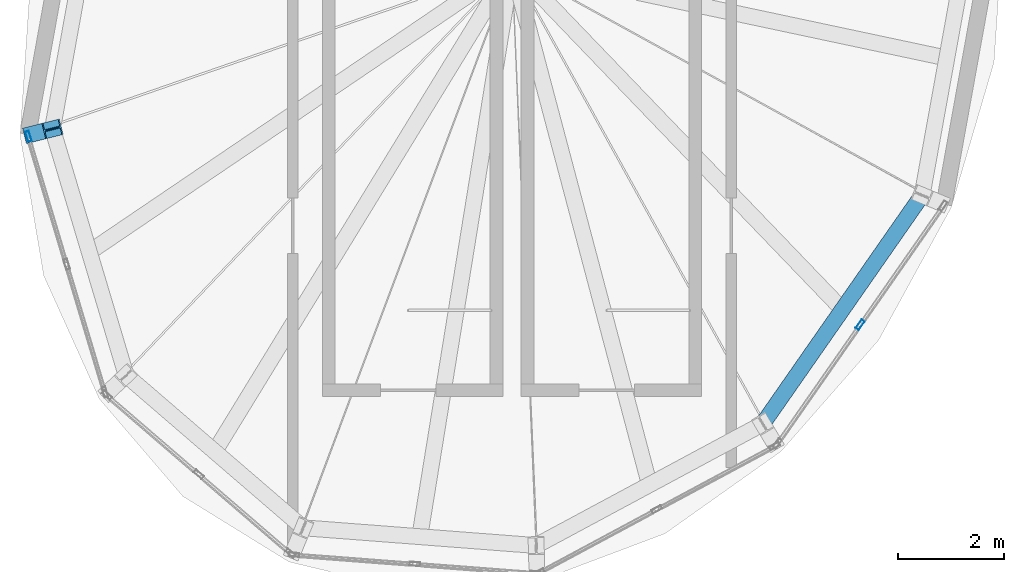
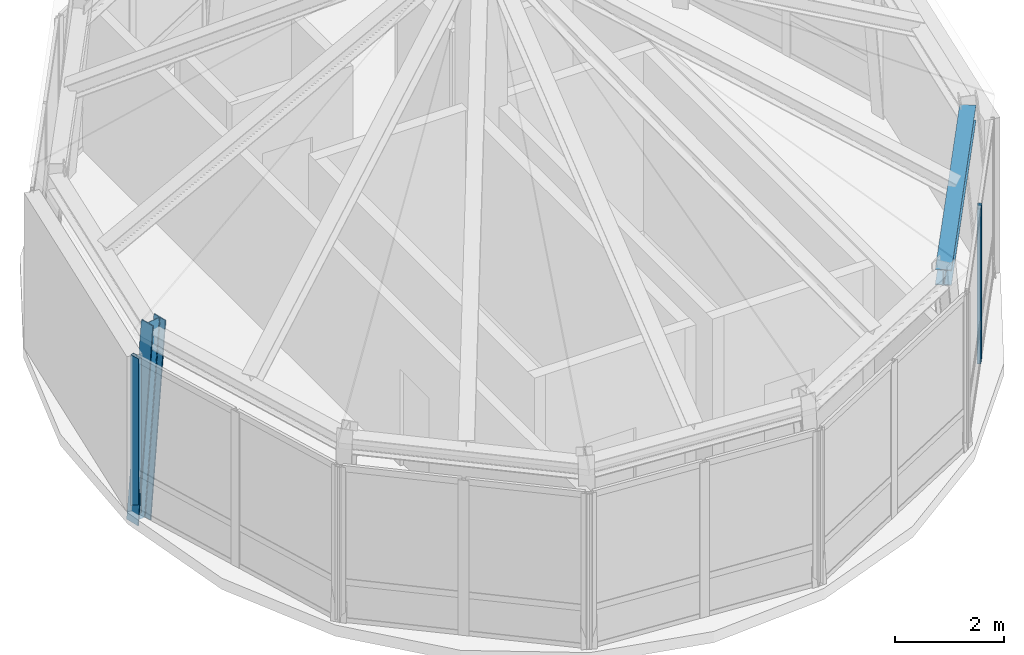
# One storey, part 2 of 8: 3 members, 1 beam, 2 elements without a shape of their own.
"""IFC4 building model written with IfcOpenShell, lengths in metres."""

from ifc_helpers import new_model, si_unit, direction, frame, origin, origin_2d, place, context, subcontext, project, spatial, hollow_rectangle, i_section, extrude, material, layer, layer_set, material_profile, profile_set, type_object, element, aggregate, save


model = new_model("IFC4")

# Units and contexts
model_context = context("Model", 3, precision=1e-05, world=origin(), true_north=direction((0.0, 1.0)))
body_context = subcontext(model_context, "Body", "Model", "MODEL_VIEW")
ifc_project = project(units=[si_unit("LENGTHUNIT", "METRE"), si_unit("AREAUNIT", "SQUARE_METRE"), si_unit("VOLUMEUNIT", "CUBIC_METRE"), si_unit("PLANEANGLEUNIT", "RADIAN"), si_unit("MASSUNIT", "GRAM", prefix="KILO"), si_unit("THERMODYNAMICTEMPERATUREUNIT", "KELVIN"), si_unit("POWERUNIT", "WATT")], contexts=[model_context])

# Site, building, storey
site_placement = place(None, origin())
site = spatial("IfcSite", under=ifc_project, at=site_placement, CompositionType="ELEMENT")
building_placement = place(site_placement, origin())
building = spatial("IfcBuilding", under=site, at=building_placement, Name="Ocrelia Relay Tower", CompositionType="ELEMENT")
storey_placement = place(building_placement, frame((0.0, 0.0, 308.0)))
storey = spatial("IfcBuildingStorey", under=building, at=storey_placement, Name="L77", CompositionType="ELEMENT", Elevation=308.0)

# Beam
ifc_material_1 = material(Name="Steel S355", Category="steel")
ifc_material_profile_1 = material_profile(ifc_material_1, i_section(OverallWidth=0.300048828125, OverallDepth=0.35009765625, WebThickness=0.010009765625, FlangeThickness=0.017578125, FilletRadius=0.027099609375, at=origin_2d()), Name="HEA 360")
ifc_profile_set_1 = profile_set([ifc_material_profile_1], Name="Steel S355")
beam_type = type_object("IfcBeamType", Name="BM-HEA360", PredefinedType="SPANDREL", material=ifc_profile_set_1)
beam_placement = place(storey_placement, frame((38.743408203125, 18.4541015625, 3.64501953125), z_axis=(0.57182005385, 0.820379074584, 0.0), x_axis=(-0.820379074584, 0.57182005385, 0.0)))
element("IfcBeam", 1, at=beam_placement, inside=storey, type_object=beam_type, Name="L77 Crown Faceted Ring Beam R09", PredefinedType="SPANDREL", context=body_context, shape_type="SweptSolid", body=[
    extrude(i_section(OverallWidth=0.300048828125, OverallDepth=0.35009765625, WebThickness=0.010009765625, FlangeThickness=0.017578125, FilletRadius=0.027099609375, at=origin_2d()), origin(), (0.0, 0.0, 1.0), 5.271484375),
])

# Curtain wall, member
ifc_material_2 = material(Name="Aluminium and solar-control low-E glass", Category="aluminium")
ifc_layer = layer(ifc_material_2, 0.179931640625, Name="Aluminium and solar-control low-E glass")
ifc_layer_set = layer_set([ifc_layer], Name="Aluminium and solar-control low-E glass")
curtain_wall_type = type_object("IfcCurtainWallType", Name="CW-SYS-CROWN-PT", PredefinedType="NOTDEFINED", material=ifc_layer_set)
curtain_wall_1_placement = place(storey_placement, origin())
curtain_wall_1 = element("IfcCurtainWall", 2, at=curtain_wall_1_placement, inside=storey, type_object=curtain_wall_type, Name="L77 Faceted Glass-Point Crown Curtain Wall 05", PredefinedType="NOTDEFINED")
ifc_material_3 = material(Name="Anodised bronze aluminium", Category="aluminium")
ifc_material_profile_2 = material_profile(ifc_material_3, hollow_rectangle(XDim=0.074951171875, YDim=0.199951171875, WallThickness=0.006103515625, at=origin_2d()), Name="CW-MUL-200x75")
ifc_profile_set_2 = profile_set([ifc_material_profile_2], Name="Anodised bronze aluminium")
member_type_1 = type_object("IfcMemberType", Name="CW-SYS-CROWN-PT-MUL", PredefinedType="MULLION", material=ifc_profile_set_2)
member_1_placement = place(storey_placement, frame((24.85205078125, 23.89306640625, 0.0), z_axis=(0.0, 0.0, 1.0), x_axis=(0.958056902015, 0.286578039111, 0.0)))
member_1 = element("IfcMember", 3, at=member_1_placement, type_object=member_type_1, Name="CW-CR mullion 1", PredefinedType="MULLION", context=body_context, shape_type="SweptSolid", body=[
    extrude(hollow_rectangle(XDim=0.074951171875, YDim=0.199951171875, WallThickness=0.006103515625, at=origin_2d()), origin(), (0.0, 0.0, 1.0), 3.4599609375),
])
aggregate(curtain_wall_1, [member_1])

curtain_wall_2_placement = place(storey_placement, origin())
curtain_wall_2 = element("IfcCurtainWall", 4, at=curtain_wall_2_placement, inside=storey, type_object=curtain_wall_type, Name="L77 Faceted Glass-Point Crown Curtain Wall 09", PredefinedType="NOTDEFINED")
member_2_placement = place(storey_placement, frame((40.585693359375, 20.328369140625, 0.0), z_axis=(0.0, 0.0, 1.0), x_axis=(-0.820359766899, 0.571847753211, 0.0)))
member_2 = element("IfcMember", 5, at=member_2_placement, type_object=member_type_1, Name="CW-CR mullion 2", PredefinedType="MULLION", context=body_context, shape_type="SweptSolid", body=[
    extrude(hollow_rectangle(XDim=0.074951171875, YDim=0.199951171875, WallThickness=0.006103515625, at=origin_2d()), origin(), (0.0, 0.0, 1.0), 3.4599609375),
])
aggregate(curtain_wall_2, [member_2])

# Member
ifc_material_profile_3 = material_profile(ifc_material_1, i_section(OverallWidth=0.300048828125, OverallDepth=0.340087890625, WebThickness=0.011962890625, FlangeThickness=0.021484375, FilletRadius=0.027099609375, at=origin_2d()), Name="HEB 340")
ifc_profile_set_3 = profile_set([ifc_material_profile_3], Name="Steel S355")
member_type_2 = type_object("IfcMemberType", Name="MB-CROWN-RIB", PredefinedType="STRUT", material=ifc_profile_set_3)
member_3_placement = place(storey_placement, frame((24.9404296875, 23.94189453125, -0.25), z_axis=(0.085401052624, 0.021350263156, 0.996117877801), x_axis=(-0.242535625036, 0.970142500145, 0.0)))
element("IfcMember", 6, at=member_3_placement, inside=storey, type_object=member_type_2, Name="L77 Crown Faceted Structural Strut Rib CR05", PredefinedType="STRUT", context=body_context, shape_type="SweptSolid", body=[
    extrude(i_section(OverallWidth=0.300048828125, OverallDepth=0.340087890625, WebThickness=0.011962890625, FlangeThickness=0.021484375, FilletRadius=0.027099609375, at=origin_2d()), origin(), (0.0, 0.0, 1.0), 4.2880859375),
])

save(model, "model.ifc")
